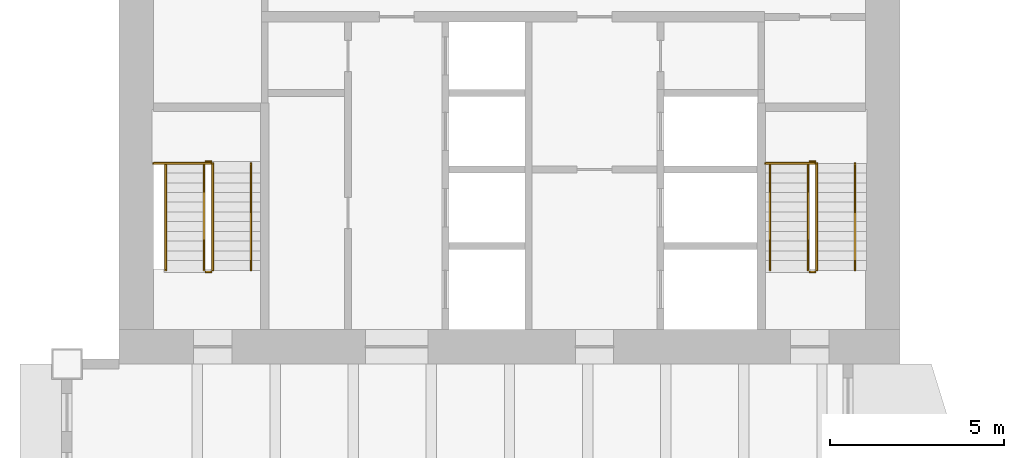
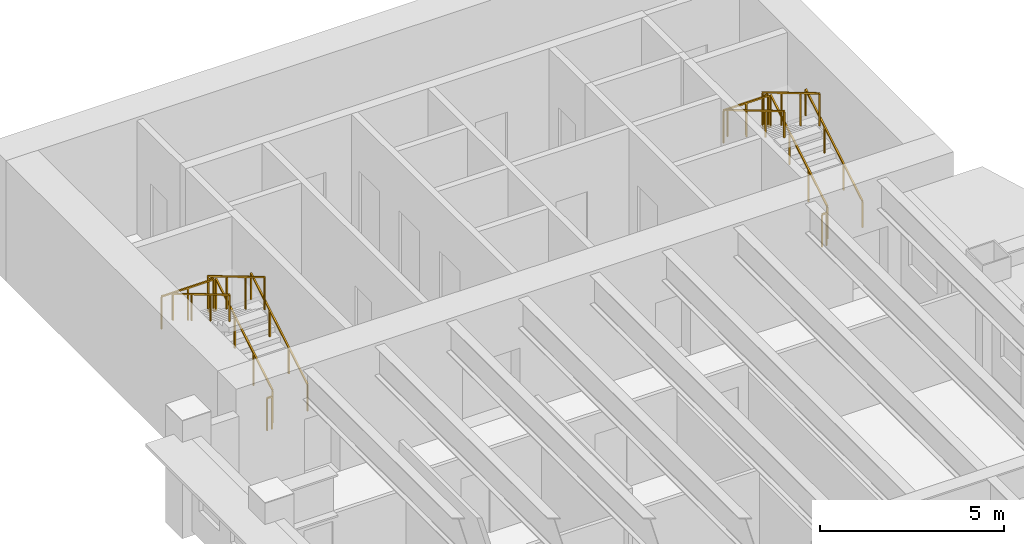
# One storey, part 16 of 16: 14 railings.
"""IFC4 building model written with IfcOpenShell, lengths in metres."""

from ifc_helpers import new_model, si_unit, direction, frame, origin, origin_2d, place, context, subcontext, project, spatial, rectangle, extrude, material, type_object, element, save


model = new_model("IFC4")

# Units and contexts
model_context = context("Model", 3, precision=1e-05, world=origin(), true_north=direction((0.0, 1.0)))
body_context = subcontext(model_context, "Body", "Model", "MODEL_VIEW")
ifc_project = project(units=[si_unit("LENGTHUNIT", "METRE"), si_unit("AREAUNIT", "SQUARE_METRE"), si_unit("VOLUMEUNIT", "CUBIC_METRE"), si_unit("PLANEANGLEUNIT", "RADIAN"), si_unit("MASSUNIT", "GRAM", prefix="KILO")], contexts=[model_context])

# Site, building, storey
site_placement = place(None, origin())
site = spatial("IfcSite", under=ifc_project, at=site_placement, CompositionType="ELEMENT")
building_placement = place(site_placement, origin())
building = spatial("IfcBuilding", under=site, at=building_placement, Name="Sennacour Bend Tower", CompositionType="ELEMENT")
storey_placement = place(building_placement, frame((0.0, 0.0, 183.0)))
storey = spatial("IfcBuildingStorey", under=building, at=storey_placement, Name="L42", CompositionType="ELEMENT", Elevation=183.0)

# Railings
ifc_material = material(Name="Stainless steel", Category="steel")
railing_type_1 = type_object("IfcRailingType", Name="RL-GUARD-1100", PredefinedType="GUARDRAIL", material=ifc_material)
railing_1_placement = place(storey_placement, frame((2.699951171875, 38.699951171875, 0.166748046875)))
element("IfcRailing", 1, at=railing_1_placement, inside=storey, type_object=railing_type_1, Name="L42 SB1 stair guard 1", PredefinedType="GUARDRAIL", context=body_context, shape_type="SweptSolid", body=[
    extrude(rectangle(XDim=0.048095703125, YDim=0.048095703125, at=origin_2d()), frame((0.0, 0.0, 1.076171875), z_axis=(0.0, 0.859308565015, 0.511457515432), x_axis=(-1.0, 0.0, 0.0)), (0.0, 0.0, 1.0), 3.58447265625),
    extrude(rectangle(XDim=0.0419921875, YDim=0.0419921875, at=origin_2d()), origin(), (0.0, 0.0, 1.0), 1.052001953125),
    extrude(rectangle(XDim=0.0419921875, YDim=0.0419921875, at=origin_2d()), frame((0.0, 1.026611328125, 0.611083984375)), (0.0, 0.0, 1.0), 1.052001953125),
    extrude(rectangle(XDim=0.0419921875, YDim=0.0419921875, at=origin_2d()), frame((0.0, 2.053466796875, 1.22216796875)), (0.0, 0.0, 1.0), 1.052001953125),
    extrude(rectangle(XDim=0.0419921875, YDim=0.0419921875, at=origin_2d()), frame((0.0, 3.080078125, 1.833251953125)), (0.0, 0.0, 1.0), 1.052001953125),
])
railing_2_placement = place(storey_placement, frame((2.64990234375, 41.830078125, 2.0)))
element("IfcRailing", 2, at=railing_2_placement, inside=storey, type_object=railing_type_1, Name="L42 SB1 stair guard 2", PredefinedType="GUARDRAIL", context=body_context, shape_type="SweptSolid", body=[
    extrude(rectangle(XDim=0.048095703125, YDim=0.048095703125, at=origin_2d()), frame((0.0, 0.0, 1.076171875), z_axis=(-1.0, 0.0, 0.0), x_axis=(0.0, -1.0, 0.0)), (0.0, 0.0, 1.0), 0.14990234375),
    extrude(rectangle(XDim=0.0419921875, YDim=0.0419921875, at=origin_2d()), origin(), (0.0, 0.0, 1.0), 1.052001953125),
    extrude(rectangle(XDim=0.0419921875, YDim=0.0419921875, at=origin_2d()), frame((-0.14990234375, 0.0, 0.0)), (0.0, 0.0, 1.0), 1.052001953125),
])
railing_3_placement = place(storey_placement, frame((2.449951171875, 41.780029296875, 2.166748046875)))
element("IfcRailing", 3, at=railing_3_placement, inside=storey, type_object=railing_type_1, Name="L42 SB1 stair guard 4", PredefinedType="GUARDRAIL", context=body_context, shape_type="SweptSolid", body=[
    extrude(rectangle(XDim=0.048095703125, YDim=0.048095703125, at=origin_2d()), frame((0.0, 0.0, 1.076171875), z_axis=(0.0, -0.859308565015, 0.511457515432), x_axis=(1.0, 0.0, 0.0)), (0.0, 0.0, 1.0), 3.58447265625),
    extrude(rectangle(XDim=0.0419921875, YDim=0.0419921875, at=origin_2d()), origin(), (0.0, 0.0, 1.0), 1.052001953125),
    extrude(rectangle(XDim=0.0419921875, YDim=0.0419921875, at=origin_2d()), frame((0.0, -1.026611328125, 0.611083984375)), (0.0, 0.0, 1.0), 1.052001953125),
    extrude(rectangle(XDim=0.0419921875, YDim=0.0419921875, at=origin_2d()), frame((0.0, -2.053466796875, 1.22216796875)), (0.0, 0.0, 1.0), 1.052001953125),
    extrude(rectangle(XDim=0.0419921875, YDim=0.0419921875, at=origin_2d()), frame((0.0, -3.080078125, 1.833251953125)), (0.0, 0.0, 1.0), 1.052001953125),
])
railing_4_placement = place(storey_placement, frame((2.64990234375, 38.64990234375, 0.0)))
element("IfcRailing", 4, at=railing_4_placement, inside=storey, type_object=railing_type_1, Name="L42 SB1 stair guard 5", PredefinedType="GUARDRAIL", context=body_context, shape_type="SweptSolid", body=[
    extrude(rectangle(XDim=0.048095703125, YDim=0.048095703125, at=origin_2d()), frame((0.0, 0.0, 1.076171875), z_axis=(-1.0, 0.0, 0.0), x_axis=(0.0, -1.0, 0.0)), (0.0, 0.0, 1.0), 0.14990234375),
    extrude(rectangle(XDim=0.0419921875, YDim=0.0419921875, at=origin_2d()), origin(), (0.0, 0.0, 1.0), 1.052001953125),
    extrude(rectangle(XDim=0.0419921875, YDim=0.0419921875, at=origin_2d()), frame((-0.14990234375, 0.0, 0.0)), (0.0, 0.0, 1.0), 1.052001953125),
])
railing_5_placement = place(storey_placement, frame((2.64990234375, 41.780029296875, 2.0)))
element("IfcRailing", 5, at=railing_5_placement, inside=storey, type_object=railing_type_1, Name="L42 SB1 landing edge guard 67", PredefinedType="GUARDRAIL", context=body_context, shape_type="SweptSolid", body=[
    extrude(rectangle(XDim=0.048095703125, YDim=0.048095703125, at=origin_2d()), frame((0.0, 0.0, 1.076171875), z_axis=(-1.0, 0.0, 0.0), x_axis=(0.0, -1.0, 0.0)), (0.0, 0.0, 1.0), 1.64990234375),
    extrude(rectangle(XDim=0.0419921875, YDim=0.0419921875, at=origin_2d()), origin(), (0.0, 0.0, 1.0), 1.052001953125),
    extrude(rectangle(XDim=0.0419921875, YDim=0.0419921875, at=origin_2d()), frame((-0.824951171875, 0.0, 0.0)), (0.0, 0.0, 1.0), 1.052001953125),
    extrude(rectangle(XDim=0.0419921875, YDim=0.0419921875, at=origin_2d()), frame((-1.64990234375, 0.0, 0.0)), (0.0, 0.0, 1.0), 1.052001953125),
])
railing_6_placement = place(storey_placement, frame((20.10009765625, 38.699951171875, 0.166748046875)))
element("IfcRailing", 6, at=railing_6_placement, inside=storey, type_object=railing_type_1, Name="L42 SB2 stair guard 1", PredefinedType="GUARDRAIL", context=body_context, shape_type="SweptSolid", body=[
    extrude(rectangle(XDim=0.048095703125, YDim=0.048095703125, at=origin_2d()), frame((0.0, 0.0, 1.076171875), z_axis=(0.0, 0.859308565015, 0.511457515432), x_axis=(-1.0, 0.0, 0.0)), (0.0, 0.0, 1.0), 3.58447265625),
    extrude(rectangle(XDim=0.0419921875, YDim=0.0419921875, at=origin_2d()), origin(), (0.0, 0.0, 1.0), 1.052001953125),
    extrude(rectangle(XDim=0.0419921875, YDim=0.0419921875, at=origin_2d()), frame((0.0, 1.026611328125, 0.611083984375)), (0.0, 0.0, 1.0), 1.052001953125),
    extrude(rectangle(XDim=0.0419921875, YDim=0.0419921875, at=origin_2d()), frame((0.0, 2.053466796875, 1.22216796875)), (0.0, 0.0, 1.0), 1.052001953125),
    extrude(rectangle(XDim=0.0419921875, YDim=0.0419921875, at=origin_2d()), frame((0.0, 3.080078125, 1.833251953125)), (0.0, 0.0, 1.0), 1.052001953125),
])
railing_7_placement = place(storey_placement, frame((20.050048828125, 41.830078125, 2.0)))
element("IfcRailing", 7, at=railing_7_placement, inside=storey, type_object=railing_type_1, Name="L42 SB2 stair guard 2", PredefinedType="GUARDRAIL", context=body_context, shape_type="SweptSolid", body=[
    extrude(rectangle(XDim=0.048095703125, YDim=0.048095703125, at=origin_2d()), frame((0.0, 0.0, 1.076171875), z_axis=(-1.0, 0.0, 0.0), x_axis=(0.0, -1.0, 0.0)), (0.0, 0.0, 1.0), 0.150146484375),
    extrude(rectangle(XDim=0.0419921875, YDim=0.0419921875, at=origin_2d()), origin(), (0.0, 0.0, 1.0), 1.052001953125),
    extrude(rectangle(XDim=0.0419921875, YDim=0.0419921875, at=origin_2d()), frame((-0.150146484375, 0.0, 0.0)), (0.0, 0.0, 1.0), 1.052001953125),
])
railing_8_placement = place(storey_placement, frame((19.85009765625, 41.780029296875, 2.166748046875)))
element("IfcRailing", 8, at=railing_8_placement, inside=storey, type_object=railing_type_1, Name="L42 SB2 stair guard 4", PredefinedType="GUARDRAIL", context=body_context, shape_type="SweptSolid", body=[
    extrude(rectangle(XDim=0.048095703125, YDim=0.048095703125, at=origin_2d()), frame((0.0, 0.0, 1.076171875), z_axis=(0.0, -0.859308565015, 0.511457515432), x_axis=(1.0, 0.0, 0.0)), (0.0, 0.0, 1.0), 3.58447265625),
    extrude(rectangle(XDim=0.0419921875, YDim=0.0419921875, at=origin_2d()), origin(), (0.0, 0.0, 1.0), 1.052001953125),
    extrude(rectangle(XDim=0.0419921875, YDim=0.0419921875, at=origin_2d()), frame((0.0, -1.026611328125, 0.611083984375)), (0.0, 0.0, 1.0), 1.052001953125),
    extrude(rectangle(XDim=0.0419921875, YDim=0.0419921875, at=origin_2d()), frame((0.0, -2.053466796875, 1.22216796875)), (0.0, 0.0, 1.0), 1.052001953125),
    extrude(rectangle(XDim=0.0419921875, YDim=0.0419921875, at=origin_2d()), frame((0.0, -3.080078125, 1.833251953125)), (0.0, 0.0, 1.0), 1.052001953125),
])
railing_9_placement = place(storey_placement, frame((20.050048828125, 38.64990234375, 0.0)))
element("IfcRailing", 9, at=railing_9_placement, inside=storey, type_object=railing_type_1, Name="L42 SB2 stair guard 5", PredefinedType="GUARDRAIL", context=body_context, shape_type="SweptSolid", body=[
    extrude(rectangle(XDim=0.048095703125, YDim=0.048095703125, at=origin_2d()), frame((0.0, 0.0, 1.076171875), z_axis=(-1.0, 0.0, 0.0), x_axis=(0.0, -1.0, 0.0)), (0.0, 0.0, 1.0), 0.150146484375),
    extrude(rectangle(XDim=0.0419921875, YDim=0.0419921875, at=origin_2d()), origin(), (0.0, 0.0, 1.0), 1.052001953125),
    extrude(rectangle(XDim=0.0419921875, YDim=0.0419921875, at=origin_2d()), frame((-0.150146484375, 0.0, 0.0)), (0.0, 0.0, 1.0), 1.052001953125),
])
railing_10_placement = place(storey_placement, frame((20.050048828125, 41.780029296875, 2.0)))
element("IfcRailing", 10, at=railing_10_placement, inside=storey, type_object=railing_type_1, Name="L42 SB2 landing edge guard 57", PredefinedType="GUARDRAIL", context=body_context, shape_type="SweptSolid", body=[
    extrude(rectangle(XDim=0.048095703125, YDim=0.048095703125, at=origin_2d()), frame((0.0, 0.0, 1.076171875), z_axis=(-1.0, 0.0, 0.0), x_axis=(0.0, -1.0, 0.0)), (0.0, 0.0, 1.0), 1.425048828125),
    extrude(rectangle(XDim=0.0419921875, YDim=0.0419921875, at=origin_2d()), origin(), (0.0, 0.0, 1.0), 1.052001953125),
    extrude(rectangle(XDim=0.0419921875, YDim=0.0419921875, at=origin_2d()), frame((-0.71240234375, 0.0, 0.0)), (0.0, 0.0, 1.0), 1.052001953125),
    extrude(rectangle(XDim=0.0419921875, YDim=0.0419921875, at=origin_2d()), frame((-1.425048828125, 0.0, 0.0)), (0.0, 0.0, 1.0), 1.052001953125),
])
railing_type_2 = type_object("IfcRailingType", Name="RL-HANDRAIL-900", PredefinedType="HANDRAIL", material=ifc_material)
railing_11_placement = place(storey_placement, frame((3.800048828125, 38.699951171875, 0.166748046875)))
element("IfcRailing", 11, at=railing_11_placement, inside=storey, type_object=railing_type_2, Name="L42 SB1 stair handrail 1", PredefinedType="HANDRAIL", context=body_context, shape_type="SweptSolid", body=[
    extrude(rectangle(XDim=0.048095703125, YDim=0.048095703125, at=origin_2d()), frame((0.0, 0.0, 0.8759765625), z_axis=(0.0, 0.859308565015, 0.511457515432), x_axis=(-1.0, 0.0, 0.0)), (0.0, 0.0, 1.0), 3.58447265625),
    extrude(rectangle(XDim=0.0419921875, YDim=0.0419921875, at=origin_2d()), origin(), (0.0, 0.0, 1.0), 0.851806640625),
    extrude(rectangle(XDim=0.0419921875, YDim=0.0419921875, at=origin_2d()), frame((0.0, 1.026611328125, 0.611083984375)), (0.0, 0.0, 1.0), 0.851806640625),
    extrude(rectangle(XDim=0.0419921875, YDim=0.0419921875, at=origin_2d()), frame((0.0, 2.053466796875, 1.22216796875)), (0.0, 0.0, 1.0), 0.851806640625),
    extrude(rectangle(XDim=0.0419921875, YDim=0.0419921875, at=origin_2d()), frame((0.0, 3.080078125, 1.833251953125)), (0.0, 0.0, 1.0), 0.851806640625),
])
railing_12_placement = place(storey_placement, frame((1.35009765625, 41.780029296875, 2.166748046875)))
element("IfcRailing", 12, at=railing_12_placement, inside=storey, type_object=railing_type_2, Name="L42 SB1 stair handrail 2", PredefinedType="HANDRAIL", context=body_context, shape_type="SweptSolid", body=[
    extrude(rectangle(XDim=0.048095703125, YDim=0.048095703125, at=origin_2d()), frame((0.0, 0.0, 0.8759765625), z_axis=(0.0, -0.859308565015, 0.511457515432), x_axis=(1.0, 0.0, 0.0)), (0.0, 0.0, 1.0), 3.58447265625),
    extrude(rectangle(XDim=0.0419921875, YDim=0.0419921875, at=origin_2d()), origin(), (0.0, 0.0, 1.0), 0.851806640625),
    extrude(rectangle(XDim=0.0419921875, YDim=0.0419921875, at=origin_2d()), frame((0.0, -1.026611328125, 0.611083984375)), (0.0, 0.0, 1.0), 0.851806640625),
    extrude(rectangle(XDim=0.0419921875, YDim=0.0419921875, at=origin_2d()), frame((0.0, -2.053466796875, 1.22216796875)), (0.0, 0.0, 1.0), 0.851806640625),
    extrude(rectangle(XDim=0.0419921875, YDim=0.0419921875, at=origin_2d()), frame((0.0, -3.080078125, 1.833251953125)), (0.0, 0.0, 1.0), 0.851806640625),
])
railing_13_placement = place(storey_placement, frame((21.199951171875, 38.699951171875, 0.166748046875)))
element("IfcRailing", 13, at=railing_13_placement, inside=storey, type_object=railing_type_2, Name="L42 SB2 stair handrail 1", PredefinedType="HANDRAIL", context=body_context, shape_type="SweptSolid", body=[
    extrude(rectangle(XDim=0.048095703125, YDim=0.048095703125, at=origin_2d()), frame((0.0, 0.0, 0.8759765625), z_axis=(0.0, 0.859308565015, 0.511457515432), x_axis=(-1.0, 0.0, 0.0)), (0.0, 0.0, 1.0), 3.58447265625),
    extrude(rectangle(XDim=0.0419921875, YDim=0.0419921875, at=origin_2d()), origin(), (0.0, 0.0, 1.0), 0.851806640625),
    extrude(rectangle(XDim=0.0419921875, YDim=0.0419921875, at=origin_2d()), frame((0.0, 1.026611328125, 0.611083984375)), (0.0, 0.0, 1.0), 0.851806640625),
    extrude(rectangle(XDim=0.0419921875, YDim=0.0419921875, at=origin_2d()), frame((0.0, 2.053466796875, 1.22216796875)), (0.0, 0.0, 1.0), 0.851806640625),
    extrude(rectangle(XDim=0.0419921875, YDim=0.0419921875, at=origin_2d()), frame((0.0, 3.080078125, 1.833251953125)), (0.0, 0.0, 1.0), 0.851806640625),
])
railing_14_placement = place(storey_placement, frame((18.75, 41.780029296875, 2.166748046875)))
element("IfcRailing", 14, at=railing_14_placement, inside=storey, type_object=railing_type_2, Name="L42 SB2 stair handrail 2", PredefinedType="HANDRAIL", context=body_context, shape_type="SweptSolid", body=[
    extrude(rectangle(XDim=0.048095703125, YDim=0.048095703125, at=origin_2d()), frame((0.0, 0.0, 0.8759765625), z_axis=(0.0, -0.859308565015, 0.511457515432), x_axis=(1.0, 0.0, 0.0)), (0.0, 0.0, 1.0), 3.58447265625),
    extrude(rectangle(XDim=0.0419921875, YDim=0.0419921875, at=origin_2d()), origin(), (0.0, 0.0, 1.0), 0.851806640625),
    extrude(rectangle(XDim=0.0419921875, YDim=0.0419921875, at=origin_2d()), frame((0.0, -1.026611328125, 0.611083984375)), (0.0, 0.0, 1.0), 0.851806640625),
    extrude(rectangle(XDim=0.0419921875, YDim=0.0419921875, at=origin_2d()), frame((0.0, -2.053466796875, 1.22216796875)), (0.0, 0.0, 1.0), 0.851806640625),
    extrude(rectangle(XDim=0.0419921875, YDim=0.0419921875, at=origin_2d()), frame((0.0, -3.080078125, 1.833251953125)), (0.0, 0.0, 1.0), 0.851806640625),
])

save(model, "model.ifc")
